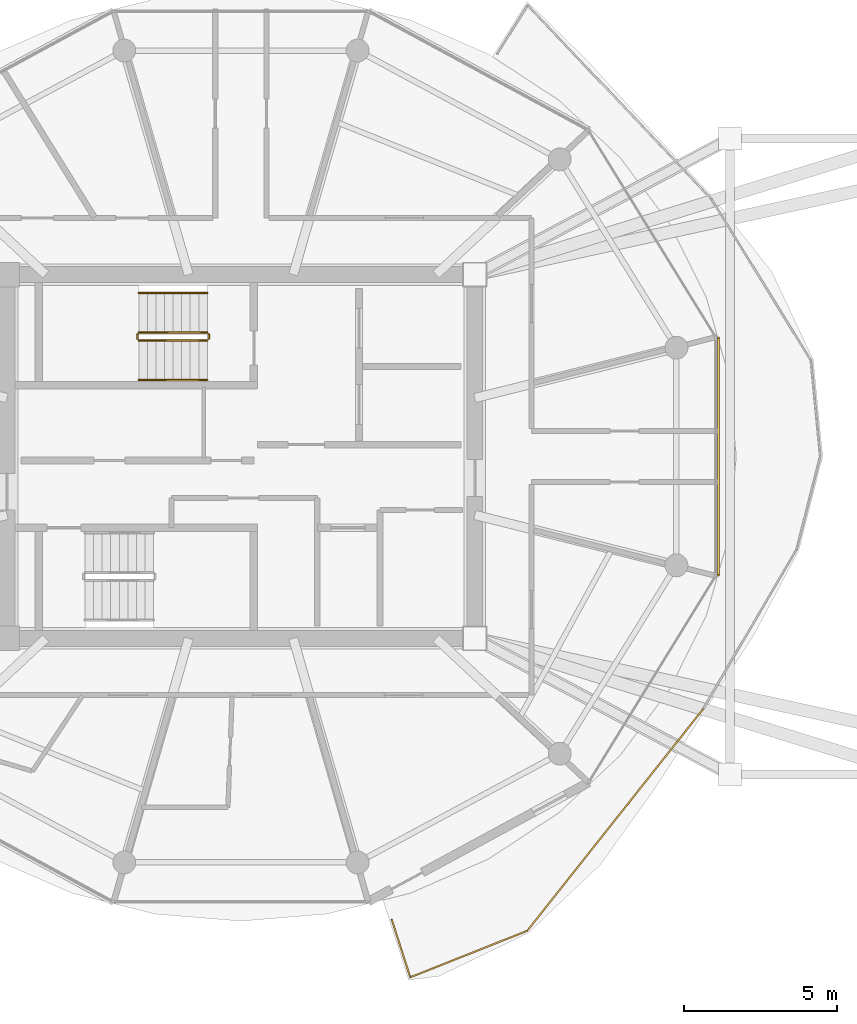
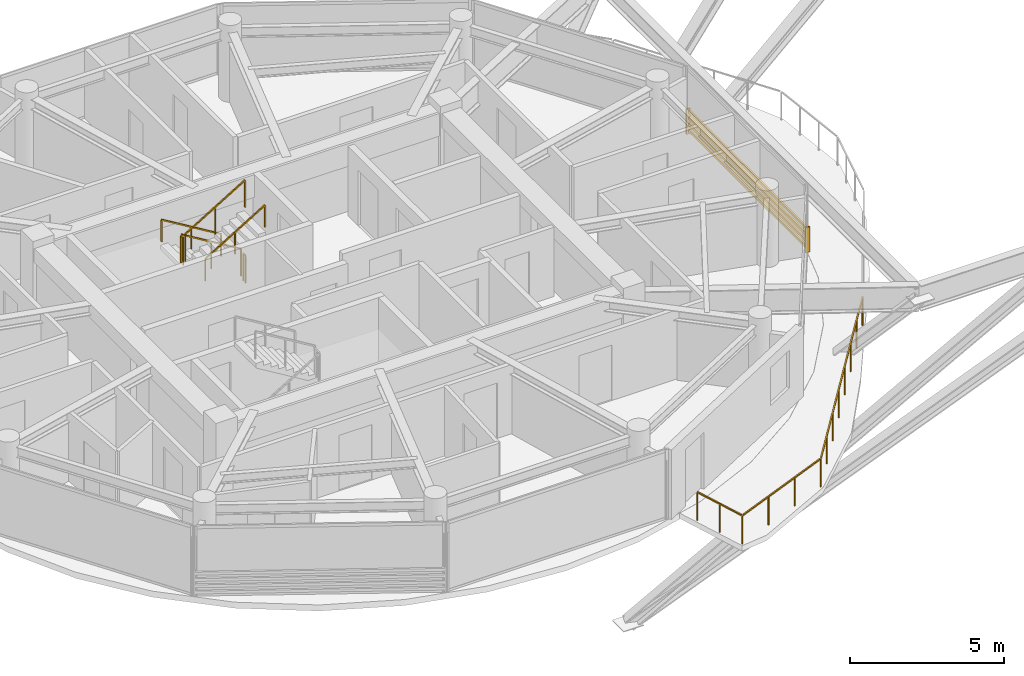
# One storey, part 20 of 23: 7 railings, 1 shading device.
"""IFC4 building model written with IfcOpenShell, lengths in metres."""

from ifc_helpers import new_model, si_unit, direction, frame, origin, origin_2d, place, context, subcontext, project, spatial, rectangle, extrude, source, transform, mapped, material, type_object, type_shapes, element, save


model = new_model("IFC4")

# Units and contexts
model_context = context("Model", 3, precision=1e-05, world=origin(), true_north=direction((0.0, 1.0)))
body_context = subcontext(model_context, "Body", "Model", "MODEL_VIEW")
ifc_project = project(units=[si_unit("LENGTHUNIT", "METRE"), si_unit("AREAUNIT", "SQUARE_METRE"), si_unit("VOLUMEUNIT", "CUBIC_METRE"), si_unit("PLANEANGLEUNIT", "RADIAN"), si_unit("MASSUNIT", "GRAM", prefix="KILO")], contexts=[model_context])

# Site, building, storey
site_placement = place(None, origin())
site = spatial("IfcSite", under=ifc_project, at=site_placement, CompositionType="ELEMENT")
building_placement = place(site_placement, origin())
building = spatial("IfcBuilding", under=site, at=building_placement, Name="Norrkilde Senior Care Towers", CompositionType="ELEMENT")
storey_placement = place(building_placement, frame((0.0, 0.0, 196.75)))
storey = spatial("IfcBuildingStorey", under=building, at=storey_placement, Name="L61", CompositionType="ELEMENT", Elevation=196.75)

# Railings
ifc_material_1 = material(Name="Anodised Aluminium", Category="aluminium")
railing_type_1 = type_object("IfcRailingType", Name="Balcony Swirl Ribbon Guardrail 1150", PredefinedType="GUARDRAIL", material=ifc_material_1)
railing_1_placement = place(storey_placement, frame((-12.88427734375, -8.266357421875, 0.0)))
element("IfcRailing", 1, at=railing_1_placement, inside=storey, type_object=railing_type_1, Name="L61 Perimeter Safety Guard 03", PredefinedType="GUARDRAIL", context=body_context, shape_type="SweptSolid", body=[
    extrude(rectangle(XDim=0.048095703125, YDim=0.048095703125, at=origin_2d()), frame((0.0, 0.0, 1.1259765625), z_axis=(-0.62143380051, -0.783466675477, 0.0), x_axis=(0.783466675477, -0.62143380051, 0.0)), (0.0, 0.0, 1.0), 9.21337890625),
    extrude(rectangle(XDim=0.048095703125, YDim=0.048095703125, at=origin_2d()), frame((-5.7890625, -7.265625, 1.1259765625), z_axis=(-0.929219086731, -0.369529280104, 0.0), x_axis=(0.369529280104, -0.929219086731, 0.0)), (0.0, 0.0, 1.0), 4.03564453125),
    extrude(rectangle(XDim=0.048095703125, YDim=0.048095703125, at=origin_2d()), frame((-9.58935546875, -8.733154296875, 1.1259765625), z_axis=(-0.304923362515, 0.952376891253, 0.0), x_axis=(-0.952376891253, -0.304923362515, 0.0)), (0.0, 0.0, 1.0), 1.939208984375),
    extrude(rectangle(XDim=0.0419921875, YDim=0.0419921875, at=origin_2d()), origin(), (0.0, 0.0, 1.0), 1.099853515625),
    extrude(rectangle(XDim=0.0419921875, YDim=0.0419921875, at=origin_2d()), frame((-0.821533203125, -1.035888671875, 0.0)), (0.0, 0.0, 1.0), 1.099853515625),
    extrude(rectangle(XDim=0.0419921875, YDim=0.0419921875, at=origin_2d()), frame((-1.64306640625, -2.071533203125, 0.0)), (0.0, 0.0, 1.0), 1.099853515625),
    extrude(rectangle(XDim=0.0419921875, YDim=0.0419921875, at=origin_2d()), frame((-2.464599609375, -3.107421875, 0.0)), (0.0, 0.0, 1.0), 1.099853515625),
    extrude(rectangle(XDim=0.0419921875, YDim=0.0419921875, at=origin_2d()), frame((-3.286376953125, -4.14306640625, 0.0)), (0.0, 0.0, 1.0), 1.099853515625),
    extrude(rectangle(XDim=0.0419921875, YDim=0.0419921875, at=origin_2d()), frame((-4.10791015625, -5.178955078125, 0.0)), (0.0, 0.0, 1.0), 1.099853515625),
    extrude(rectangle(XDim=0.0419921875, YDim=0.0419921875, at=origin_2d()), frame((-4.929443359375, -6.214599609375, 0.0)), (0.0, 0.0, 1.0), 1.099853515625),
    extrude(rectangle(XDim=0.0419921875, YDim=0.0419921875, at=origin_2d()), frame((-5.7509765625, -7.25048828125, 0.0)), (0.0, 0.0, 1.0), 1.099853515625),
    extrude(rectangle(XDim=0.0419921875, YDim=0.0419921875, at=origin_2d()), frame((-7.0263671875, -7.757568359375, 0.0)), (0.0, 0.0, 1.0), 1.099853515625),
    extrude(rectangle(XDim=0.0419921875, YDim=0.0419921875, at=origin_2d()), frame((-8.301513671875, -8.264892578125, 0.0)), (0.0, 0.0, 1.0), 1.099853515625),
    extrude(rectangle(XDim=0.0419921875, YDim=0.0419921875, at=origin_2d()), frame((-9.576904296875, -8.77197265625, 0.0)), (0.0, 0.0, 1.0), 1.099853515625),
    extrude(rectangle(XDim=0.0419921875, YDim=0.0419921875, at=origin_2d()), frame((-9.87890625, -7.8291015625, 0.0)), (0.0, 0.0, 1.0), 1.099853515625),
    extrude(rectangle(XDim=0.0419921875, YDim=0.0419921875, at=origin_2d()), frame((-10.1806640625, -6.88623046875, 0.0)), (0.0, 0.0, 1.0), 1.099853515625),
])
ifc_material_2 = material(Name="Stainless Steel", Category="steel")
railing_type_2 = type_object("IfcRailingType", Name="Stair and Terrace Guardrail 1100", PredefinedType="GUARDRAIL", material=ifc_material_2)
railing_2_placement = place(storey_placement, frame((-29.10009765625, 4.050048828125, 0.16943359375)))
element("IfcRailing", 2, at=railing_2_placement, inside=storey, type_object=railing_type_2, Name="L61 ST-W1 stair guard 1", PredefinedType="GUARDRAIL", context=body_context, shape_type="SweptSolid", body=[
    extrude(rectangle(XDim=0.048095703125, YDim=0.048095703125, at=origin_2d()), frame((0.0, 0.0, 1.076171875), z_axis=(-0.855553338991, 0.0, 0.51771467445), x_axis=(0.0, -1.0, 0.0)), (0.0, 0.0, 1.0), 2.6181640625),
    extrude(rectangle(XDim=0.0419921875, YDim=0.0419921875, at=origin_2d()), origin(), (0.0, 0.0, 1.0), 1.050048828125),
    extrude(rectangle(XDim=0.0419921875, YDim=0.0419921875, at=origin_2d()), frame((-1.1201171875, 0.0, 0.677734375)), (0.0, 0.0, 1.0), 1.050048828125),
    extrude(rectangle(XDim=0.0419921875, YDim=0.0419921875, at=origin_2d()), frame((-2.239990234375, 0.0, 1.35546875)), (0.0, 0.0, 1.0), 1.050048828125),
])
railing_3_placement = place(storey_placement, frame((-31.389892578125, 4.0, 1.52490234375)))
element("IfcRailing", 3, at=railing_3_placement, inside=storey, type_object=railing_type_2, Name="L61 ST-W1 stair guard 2", PredefinedType="GUARDRAIL", context=body_context, shape_type="SweptSolid", body=[
    extrude(rectangle(XDim=0.048095703125, YDim=0.048095703125, at=origin_2d()), frame((0.0, 0.0, 1.076171875), z_axis=(0.0, -1.0, 0.0), x_axis=(1.0, 0.0, 0.0)), (0.0, 0.0, 1.0), 0.14990234375),
    extrude(rectangle(XDim=0.0419921875, YDim=0.0419921875, at=origin_2d()), origin(), (0.0, 0.0, 1.0), 1.050048828125),
    extrude(rectangle(XDim=0.0419921875, YDim=0.0419921875, at=origin_2d()), frame((0.0, -0.14990234375, 0.0)), (0.0, 0.0, 1.0), 1.050048828125),
])
railing_4_placement = place(storey_placement, frame((-31.340087890625, 3.800048828125, 1.6943359375)))
element("IfcRailing", 4, at=railing_4_placement, inside=storey, type_object=railing_type_2, Name="L61 ST-W1 stair guard 3", PredefinedType="GUARDRAIL", context=body_context, shape_type="SweptSolid", body=[
    extrude(rectangle(XDim=0.048095703125, YDim=0.048095703125, at=origin_2d()), frame((0.0, 0.0, 1.076171875), z_axis=(0.855512035549, 0.0, 0.517782924622), x_axis=(0.0, 1.0, 0.0)), (0.0, 0.0, 1.0), 2.618408203125),
    extrude(rectangle(XDim=0.0419921875, YDim=0.0419921875, at=origin_2d()), origin(), (0.0, 0.0, 1.0), 1.050048828125),
    extrude(rectangle(XDim=0.0419921875, YDim=0.0419921875, at=origin_2d()), frame((1.1201171875, 0.0, 0.677734375)), (0.0, 0.0, 1.0), 1.050048828125),
    extrude(rectangle(XDim=0.0419921875, YDim=0.0419921875, at=origin_2d()), frame((2.239990234375, 0.0, 1.355712890625)), (0.0, 0.0, 1.0), 1.050048828125),
])
railing_5_placement = place(storey_placement, frame((-29.050048828125, 4.0, 0.0)))
element("IfcRailing", 5, at=railing_5_placement, inside=storey, type_object=railing_type_2, Name="L61 ST-W1 stair guard 4", PredefinedType="GUARDRAIL", context=body_context, shape_type="SweptSolid", body=[
    extrude(rectangle(XDim=0.048095703125, YDim=0.048095703125, at=origin_2d()), frame((0.0, 0.0, 1.076171875), z_axis=(0.0, -1.0, 0.0), x_axis=(1.0, 0.0, 0.0)), (0.0, 0.0, 1.0), 0.14990234375),
    extrude(rectangle(XDim=0.0419921875, YDim=0.0419921875, at=origin_2d()), origin(), (0.0, 0.0, 1.0), 1.050048828125),
    extrude(rectangle(XDim=0.0419921875, YDim=0.0419921875, at=origin_2d()), frame((0.0, -0.14990234375, 0.0)), (0.0, 0.0, 1.0), 1.050048828125),
])
ifc_material_3 = material(Name="Nordic Ash Timber", Category="wood")
railing_type_3 = type_object("IfcRailingType", Name="Wall and Stair Handrail 900", PredefinedType="HANDRAIL", material=ifc_material_3)
railing_6_placement = place(storey_placement, frame((-29.10009765625, 5.35009765625, 0.16943359375)))
element("IfcRailing", 6, at=railing_6_placement, inside=storey, type_object=railing_type_3, Name="L61 ST-W1 stair handrail 1", PredefinedType="HANDRAIL", context=body_context, shape_type="SweptSolid", body=[
    extrude(rectangle(XDim=0.048095703125, YDim=0.048095703125, at=origin_2d()), frame((0.0, 0.0, 0.8759765625), z_axis=(-0.855553338991, 0.0, 0.51771467445), x_axis=(0.0, -1.0, 0.0)), (0.0, 0.0, 1.0), 2.6181640625),
    extrude(rectangle(XDim=0.0419921875, YDim=0.0419921875, at=origin_2d()), origin(), (0.0, 0.0, 1.0), 0.849853515625),
    extrude(rectangle(XDim=0.0419921875, YDim=0.0419921875, at=origin_2d()), frame((-1.1201171875, 0.0, 0.677734375)), (0.0, 0.0, 1.0), 0.849853515625),
    extrude(rectangle(XDim=0.0419921875, YDim=0.0419921875, at=origin_2d()), frame((-2.239990234375, 0.0, 1.35546875)), (0.0, 0.0, 1.0), 0.849853515625),
])
railing_7_placement = place(storey_placement, frame((-31.340087890625, 2.5, 1.6943359375)))
element("IfcRailing", 7, at=railing_7_placement, inside=storey, type_object=railing_type_3, Name="L61 ST-W1 stair handrail 2", PredefinedType="HANDRAIL", context=body_context, shape_type="SweptSolid", body=[
    extrude(rectangle(XDim=0.048095703125, YDim=0.048095703125, at=origin_2d()), frame((0.0, 0.0, 0.8759765625), z_axis=(0.855512035549, 0.0, 0.517782924622), x_axis=(0.0, 1.0, 0.0)), (0.0, 0.0, 1.0), 2.618408203125),
    extrude(rectangle(XDim=0.0419921875, YDim=0.0419921875, at=origin_2d()), origin(), (0.0, 0.0, 1.0), 0.849853515625),
    extrude(rectangle(XDim=0.0419921875, YDim=0.0419921875, at=origin_2d()), frame((1.1201171875, 0.0, 0.677734375)), (0.0, 0.0, 1.0), 0.849853515625),
    extrude(rectangle(XDim=0.0419921875, YDim=0.0419921875, at=origin_2d()), frame((2.239990234375, 0.0, 1.355712890625)), (0.0, 0.0, 1.0), 0.849853515625),
])

# Shading device
ifc_material_4 = material(Name="Architectural Terracotta", Category="masonry")
shading_device_type = type_object("IfcShadingDeviceType", Name="Horizontal Terracotta Baguette Rack", PredefinedType="USERDEFINED", material=ifc_material_4)
shared_shape = source(origin(), body_context, "Body", "SweptSolid", [
    extrude(rectangle(XDim=0.070068359375, YDim=0.110107421875, at=origin_2d()), frame((0.0, 0.090087890625, 0.125), z_axis=(1.0, 0.0, 0.0), x_axis=(0.0, 1.0, 0.0)), (0.0, 0.0, 1.0), 7.80615234375),
    extrude(rectangle(XDim=0.070068359375, YDim=0.110107421875, at=origin_2d()), frame((0.0, 0.090087890625, 0.375), z_axis=(1.0, 0.0, 0.0), x_axis=(0.0, 1.0, 0.0)), (0.0, 0.0, 1.0), 7.80615234375),
    extrude(rectangle(XDim=0.070068359375, YDim=0.110107421875, at=origin_2d()), frame((0.0, 0.090087890625, 0.625), z_axis=(1.0, 0.0, 0.0), x_axis=(0.0, 1.0, 0.0)), (0.0, 0.0, 1.0), 7.80615234375),
    extrude(rectangle(XDim=0.070068359375, YDim=0.110107421875, at=origin_2d()), frame((0.0, 0.090087890625, 0.875), z_axis=(1.0, 0.0, 0.0), x_axis=(0.0, 1.0, 0.0)), (0.0, 0.0, 1.0), 7.80615234375),
    extrude(rectangle(XDim=0.050048828125, YDim=0.1552734375, at=origin_2d()), frame((0.02490234375, 0.047607421875, 0.0)), (0.0, 0.0, 1.0), 1.0),
    extrude(rectangle(XDim=0.050048828125, YDim=0.1552734375, at=origin_2d()), frame((7.78125, 0.047607421875, 0.0)), (0.0, 0.0, 1.0), 1.0),
])
type_shapes(shading_device_type, [shared_shape])
shading_device_placement = place(storey_placement, frame((-12.468017578125, 3.903076171875, 0.080078125), z_axis=(0.0, 0.0, 1.0), x_axis=(0.0, -1.0, 0.0)))
element("IfcShadingDevice", 8, at=shading_device_placement, inside=storey, type_object=shading_device_type, Name="L61 Drum W Terracotta Baguette Screen 11", ObjectType="BAGUETTE", PredefinedType="USERDEFINED", context=body_context, shape_type="MappedRepresentation", body=[
    mapped(shared_shape, transform((0.0, 0.0, 0.0), x_axis=(1.0, 0.0, 0.0), y_axis=(0.0, 1.0, 0.0), z_axis=(0.0, 0.0, 1.0), scale=1.0)),
])

save(model, "model.ifc")
